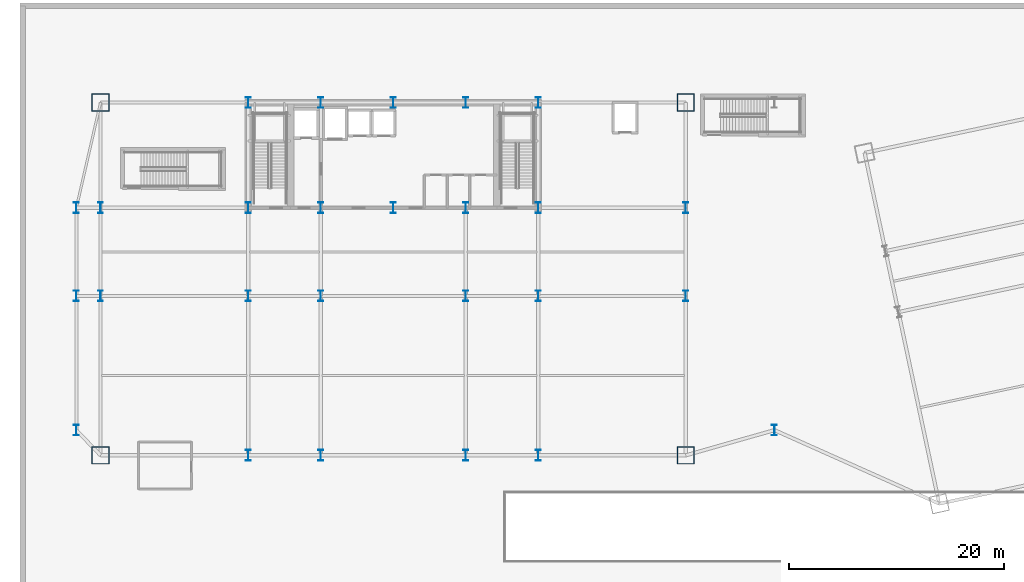
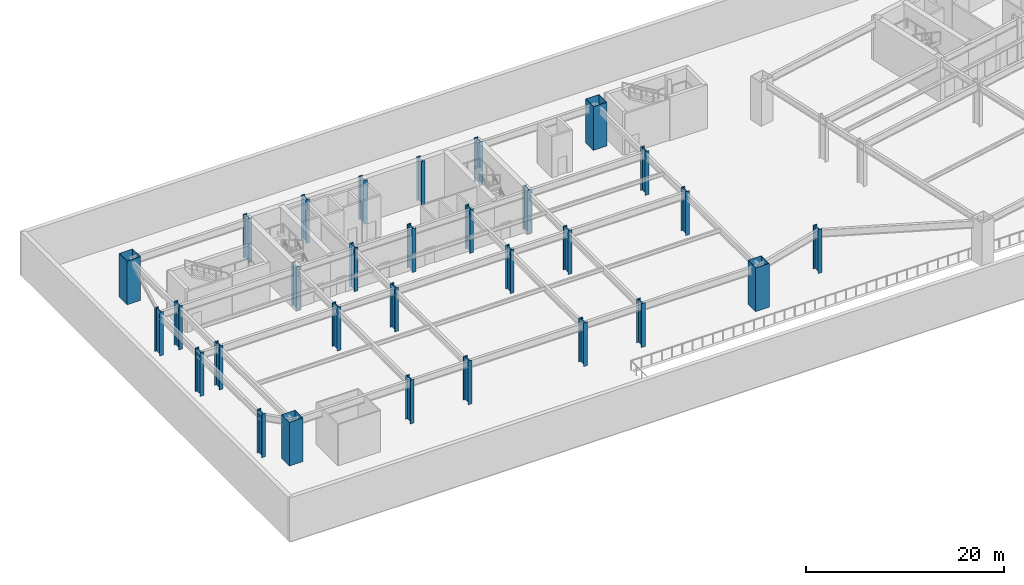
# One storey, part 1 of 16: 30 columns.
"""IFC4 building model written with IfcOpenShell, lengths in metres."""

from ifc_helpers import new_model, si_unit, direction, frame, origin, origin_2d, place, context, subcontext, project, spatial, hollow_rectangle, i_section, extrude, material, material_profile, profile_set, type_object, element, save


model = new_model("IFC4")

# Units and contexts
model_context = context("Model", 3, precision=1e-05, world=origin(), true_north=direction((0.0, 1.0)))
body_context = subcontext(model_context, "Body", "Model", "MODEL_VIEW")
ifc_project = project(units=[si_unit("LENGTHUNIT", "METRE"), si_unit("AREAUNIT", "SQUARE_METRE"), si_unit("VOLUMEUNIT", "CUBIC_METRE"), si_unit("PLANEANGLEUNIT", "RADIAN"), si_unit("MASSUNIT", "GRAM", prefix="KILO")], contexts=[model_context])

# Site, building, storey
site_placement = place(None, origin())
site = spatial("IfcSite", under=ifc_project, at=site_placement, CompositionType="ELEMENT")
building_placement = place(site_placement, origin())
building = spatial("IfcBuilding", under=site, at=building_placement, Name="Haevon Station Towers", CompositionType="ELEMENT")
storey_placement = place(building_placement, frame((0.0, 0.0, -5.39990234375)))
storey = spatial("IfcBuildingStorey", under=building, at=storey_placement, Name="B01", CompositionType="ELEMENT", Elevation=-5.39990234375)

# Columns
ifc_material = material(Name="Steel S460", Category="steel")
ifc_material_profile_1 = material_profile(ifc_material, hollow_rectangle(XDim=1.60009765625, YDim=1.60009765625, WallThickness=0.0400390625, at=origin_2d()), Name="BOX-1600x1600x40")
ifc_profile_set_1 = profile_set([ifc_material_profile_1], Name="Steel S460")
column_type_1 = type_object("IfcColumnType", Name="COL-MC1", PredefinedType="COLUMN", material=ifc_profile_set_1)
for number, where, z_axis, x_axis, name in (
    (1, (10.25, 15.14990234375, 0.0), (0.0, 0.0, 1.0), (1.0, 0.0, 0.0), "COL-T1-B01-01-01"),
    (2, (10.25, 48.0, 0.0), (0.0, 0.0, 1.0), (1.0, 0.0, 0.0), "COL-T1-B01-01-04"),
    (3, (64.75, 15.14990234375, 0.0), (0.0, 0.0, 1.0), (1.0, 0.0, 0.0), "COL-T1-B01-07-01"),
    (4, (64.75, 48.0, 0.0), (0.0, 0.0, 1.0), (1.0, 0.0, 0.0), "COL-T1-B01-07-04"),
):
    element("IfcColumn", number, at=place(storey_placement, frame(where, z_axis=z_axis, x_axis=x_axis)), inside=storey, type_object=column_type_1, Name=name, PredefinedType="COLUMN", context=body_context, shape_type="SweptSolid", body=[
        extrude(hollow_rectangle(XDim=1.60009765625, YDim=1.60009765625, WallThickness=0.0400390625, at=origin_2d()), origin(), (0.0, 0.0, 1.0), 5.39990234375),
    ])
ifc_material_profile_2 = material_profile(ifc_material, i_section(OverallWidth=0.449951171875, OverallDepth=1.0, WebThickness=0.02197265625, FlangeThickness=0.0400390625, at=origin_2d()), Name="H-1000x450x22x40")
ifc_profile_set_2 = profile_set([ifc_material_profile_2], Name="Steel S460")
column_type_2 = type_object("IfcColumnType", Name="COL-POD1", PredefinedType="COLUMN", material=ifc_profile_set_2)
for number, where, z_axis, x_axis, name in (
    (5, (10.25, 30.0, 0.0), (0.0, 0.0, 1.0), (1.0, 0.0, 0.0), "COL-T1-B01-01-02"),
    (6, (10.25, 38.199951171875, 0.0), (0.0, 0.0, 1.0), (1.0, 0.0, 0.0), "COL-T1-B01-01-03"),
    (7, (24.0, 15.14990234375, 0.0), (0.0, 0.0, 1.0), (1.0, 0.0, 0.0), "COL-T1-B01-02-01"),
    (8, (24.0, 30.0, 0.0), (0.0, 0.0, 1.0), (1.0, 0.0, 0.0), "COL-T1-B01-02-02"),
    (9, (24.0, 38.199951171875, 0.0), (0.0, 0.0, 1.0), (1.0, 0.0, 0.0), "COL-T1-B01-02-03"),
    (10, (24.0, 48.0, 0.0), (0.0, 0.0, 1.0), (1.0, 0.0, 0.0), "COL-T1-B01-02-04"),
    (11, (30.75, 15.14990234375, 0.0), (0.0, 0.0, 1.0), (1.0, 0.0, 0.0), "COL-T1-B01-03-01"),
    (12, (30.75, 30.0, 0.0), (0.0, 0.0, 1.0), (1.0, 0.0, 0.0), "COL-T1-B01-03-02"),
    (13, (30.75, 38.199951171875, 0.0), (0.0, 0.0, 1.0), (1.0, 0.0, 0.0), "COL-T1-B01-03-03"),
    (14, (30.75, 48.0, 0.0), (0.0, 0.0, 1.0), (1.0, 0.0, 0.0), "COL-T1-B01-03-04"),
    (15, (37.5, 38.199951171875, 0.0), (0.0, 0.0, 1.0), (1.0, 0.0, 0.0), "COL-T1-B01-04-03"),
    (16, (37.5, 48.0, 0.0), (0.0, 0.0, 1.0), (1.0, 0.0, 0.0), "COL-T1-B01-04-04"),
    (17, (44.25, 15.14990234375, 0.0), (0.0, 0.0, 1.0), (1.0, 0.0, 0.0), "COL-T1-B01-05-01"),
    (18, (44.25, 30.0, 0.0), (0.0, 0.0, 1.0), (1.0, 0.0, 0.0), "COL-T1-B01-05-02"),
    (19, (44.25, 38.199951171875, 0.0), (0.0, 0.0, 1.0), (1.0, 0.0, 0.0), "COL-T1-B01-05-03"),
    (20, (44.25, 48.0, 0.0), (0.0, 0.0, 1.0), (1.0, 0.0, 0.0), "COL-T1-B01-05-04"),
    (21, (51.0, 15.14990234375, 0.0), (0.0, 0.0, 1.0), (1.0, 0.0, 0.0), "COL-T1-B01-06-01"),
    (22, (51.0, 30.0, 0.0), (0.0, 0.0, 1.0), (1.0, 0.0, 0.0), "COL-T1-B01-06-02"),
    (23, (51.0, 38.199951171875, 0.0), (0.0, 0.0, 1.0), (1.0, 0.0, 0.0), "COL-T1-B01-06-03"),
    (24, (51.0, 48.0, 0.0), (0.0, 0.0, 1.0), (1.0, 0.0, 0.0), "COL-T1-B01-06-04"),
    (25, (64.75, 30.0, 0.0), (0.0, 0.0, 1.0), (1.0, 0.0, 0.0), "COL-T1-B01-07-02"),
    (26, (64.75, 38.199951171875, 0.0), (0.0, 0.0, 1.0), (1.0, 0.0, 0.0), "COL-T1-B01-07-03"),
    (27, (8.0, 17.5, 0.0), (0.0, 0.0, 1.0), (1.0, 0.0, 0.0), "COL-POD-B01-W1"),
    (28, (8.0, 30.0, 0.0), (0.0, 0.0, 1.0), (1.0, 0.0, 0.0), "COL-POD-B01-W2"),
    (29, (8.0, 38.199951171875, 0.0), (0.0, 0.0, 1.0), (1.0, 0.0, 0.0), "COL-POD-B01-W3"),
    (30, (73.0, 17.5, 0.0), (0.0, 0.0, 1.0), (1.0, 0.0, 0.0), "COL-POD-B01-M1"),
):
    element("IfcColumn", number, at=place(storey_placement, frame(where, z_axis=z_axis, x_axis=x_axis)), inside=storey, type_object=column_type_2, Name=name, PredefinedType="COLUMN", context=body_context, shape_type="SweptSolid", body=[
        extrude(i_section(OverallWidth=0.449951171875, OverallDepth=1.0, WebThickness=0.02197265625, FlangeThickness=0.0400390625, at=origin_2d()), origin(), (0.0, 0.0, 1.0), 5.39990234375),
    ])

save(model, "model.ifc")
